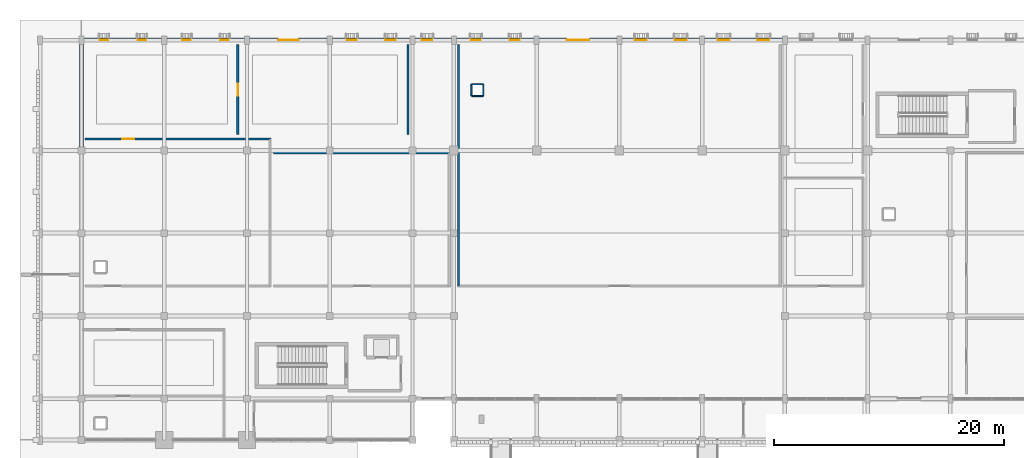
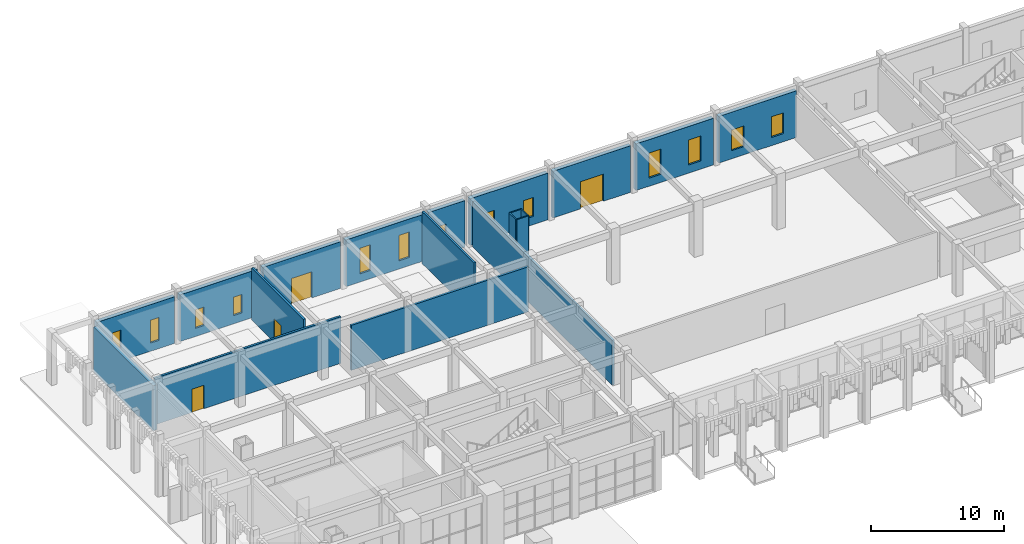
# One storey, part 38 of 72: 19 walls, 13 windows, 4 doors, 17 openings.
"""IFC4 building model written with IfcOpenShell, lengths in metres."""

from ifc_helpers import new_model, si_unit, direction, frame, frame_2d, origin, place, context, subcontext, project, spatial, rectangle, extrude, material, layer, layer_set, type_object, element, fill, save


model = new_model("IFC4")

# Units and contexts
model_context = context("Model", 3, precision=1e-05, world=origin(), true_north=direction((0.0, 1.0)))
body_context = subcontext(model_context, "Body", "Model", "MODEL_VIEW")
ifc_project = project(units=[si_unit("LENGTHUNIT", "METRE"), si_unit("AREAUNIT", "SQUARE_METRE"), si_unit("VOLUMEUNIT", "CUBIC_METRE"), si_unit("PLANEANGLEUNIT", "RADIAN"), si_unit("MASSUNIT", "GRAM", prefix="KILO")], contexts=[model_context])

# Site, building, storey
site_placement = place(None, origin())
site = spatial("IfcSite", under=ifc_project, at=site_placement, CompositionType="ELEMENT")
building_placement = place(site_placement, origin())
building = spatial("IfcBuilding", under=site, at=building_placement, Name="Nzembalo Square Collegiate School", CompositionType="ELEMENT")
storey_placement = place(building_placement, origin())
storey = spatial("IfcBuildingStorey", under=building, at=storey_placement, Name="L00", CompositionType="ELEMENT", Elevation=0.0)

# Wall
ifc_material_1 = material(Name="Concrete C35/45", Category="concrete")
ifc_layer_1 = layer(ifc_material_1, 0.360107421875, Name="Concrete C35/45")
ifc_layer_set_1 = layer_set([ifc_layer_1], Name="Concrete C35/45")
wall_type_1 = type_object("IfcWallType", Name="W01", PredefinedType="SOLIDWALL", material=ifc_layer_set_1)
wall_1_placement = place(storey_placement, frame((8.39990234375, 104.701904296875, 0.0), z_axis=(0.0, 0.0, 1.0), x_axis=(0.0, 1.0, 0.0)))
element("IfcWall", 1, at=wall_1_placement, inside=storey, type_object=wall_type_1, Name="Exterior wall W01 L00", PredefinedType="SOLIDWALL", context=body_context, shape_type="SweptSolid", body=[
    extrude(rectangle(XDim=8.921142578125, YDim=0.360107421875, at=frame_2d((4.46044921875, 0.0))), origin(), (0.0, 0.0, 1.0), 4.134033203125),
])

# Wall, openings, windows
wall_2_placement = place(storey_placement, frame((15.826904296875, 114.0, 0.0), z_axis=(0.0, 0.0, 1.0), x_axis=(1.0, 0.0, 0.0)))
wall_2 = element("IfcWall", 2, at=wall_2_placement, inside=storey, type_object=wall_type_1, Name="Exterior wall W01 L00", PredefinedType="SOLIDWALL", context=body_context, shape_type="SweptSolid", body=[
    extrude(rectangle(XDim=6.74609375, YDim=0.360107421875, at=frame_2d((3.373046875, 0.0))), origin(), (0.0, 0.0, 1.0), 4.283935546875),
])
opening_1_placement = place(wall_2_placement, frame((1.343994140625, 0.0, 0.75)))
opening_1 = element("IfcOpeningElement", 3, at=opening_1_placement, cuts=wall_2, Name="Opening WN-L00-077", PredefinedType="OPENING", context=body_context, shape_type="SweptSolid", body=[
    extrude(rectangle(XDim=0.75, YDim=1.699951171875, at=frame_2d((0.375, 0.85009765625))), frame((0.0, 0.18994140625, 0.0), z_axis=(0.0, -1.0, 0.0), x_axis=(1.0, 0.0, 0.0)), (0.0, 0.0, 1.0), 0.380126953125),
])
opening_2_placement = place(wall_2_placement, frame((4.652099609375, 0.0, 0.75)))
opening_2 = element("IfcOpeningElement", 4, at=opening_2_placement, cuts=wall_2, Name="Opening WN-L00-078", PredefinedType="OPENING", context=body_context, shape_type="SweptSolid", body=[
    extrude(rectangle(XDim=0.75, YDim=1.699951171875, at=frame_2d((0.375, 0.85009765625))), frame((0.0, 0.18994140625, 0.0), z_axis=(0.0, -1.0, 0.0), x_axis=(1.0, 0.0, 0.0)), (0.0, 0.0, 1.0), 0.380126953125),
])
ifc_material_2 = material(Name="Powder-coated aluminium and low-E double glazing", Category="aluminium")
window_type_1 = type_object("IfcWindowType", Name="WN04", PartitioningType="SINGLE_PANEL", PredefinedType="WINDOW", material=ifc_material_2)
window_1_placement = place(opening_1_placement, origin())
window_1 = element("IfcWindow", 5, at=window_1_placement, inside=storey, type_object=window_type_1, Name="Lancet window WN-L00-077", OverallHeight=1.699951171875, OverallWidth=0.75, PartitioningType="SINGLE_PANEL", PredefinedType="WINDOW", context=body_context, shape_type="SweptSolid", body=[
    extrude(rectangle(XDim=0.75, YDim=1.699951171875, at=frame_2d((0.375, 0.85009765625))), frame((0.0, 0.030029296875, 0.0), z_axis=(0.0, -1.0, 0.0), x_axis=(1.0, 0.0, 0.0)), (0.0, 0.0, 1.0), 0.06005859375),
])
fill(opening_1, window_1)
window_2_placement = place(opening_2_placement, origin())
window_2 = element("IfcWindow", 6, at=window_2_placement, inside=storey, type_object=window_type_1, Name="Lancet window WN-L00-078", OverallHeight=1.699951171875, OverallWidth=0.75, PartitioningType="SINGLE_PANEL", PredefinedType="WINDOW", context=body_context, shape_type="SweptSolid", body=[
    extrude(rectangle(XDim=0.75, YDim=1.699951171875, at=frame_2d((0.375, 0.85009765625))), frame((0.0, 0.030029296875, 0.0), z_axis=(0.0, -1.0, 0.0), x_axis=(1.0, 0.0, 0.0)), (0.0, 0.0, 1.0), 0.06005859375),
])
fill(opening_2, window_2)

wall_3_placement = place(storey_placement, frame((30.22705078125, 114.0, 0.0), z_axis=(0.0, 0.0, 1.0), x_axis=(1.0, 0.0, 0.0)))
wall_3 = element("IfcWall", 7, at=wall_3_placement, inside=storey, type_object=wall_type_1, Name="Exterior wall W01 L00", PredefinedType="SOLIDWALL", context=body_context, shape_type="SweptSolid", body=[
    extrude(rectangle(XDim=6.745849609375, YDim=0.360107421875, at=frame_2d((3.373046875, 0.0))), origin(), (0.0, 0.0, 1.0), 4.283935546875),
])
opening_3_placement = place(wall_3_placement, frame((1.2314453125, 0.0, 0.75)))
opening_3 = element("IfcOpeningElement", 8, at=opening_3_placement, cuts=wall_3, Name="Opening WN-L00-079", PredefinedType="OPENING", context=body_context, shape_type="SweptSolid", body=[
    extrude(rectangle(XDim=0.89990234375, YDim=2.35009765625, at=frame_2d((0.449951171875, 1.175048828125))), frame((0.0, 0.18994140625, 0.0), z_axis=(0.0, -1.0, 0.0), x_axis=(1.0, 0.0, 0.0)), (0.0, 0.0, 1.0), 0.380126953125),
])
opening_4_placement = place(wall_3_placement, frame((4.614501953125, 0.0, 0.75)))
opening_4 = element("IfcOpeningElement", 9, at=opening_4_placement, cuts=wall_3, Name="Opening WN-L00-080", PredefinedType="OPENING", context=body_context, shape_type="SweptSolid", body=[
    extrude(rectangle(XDim=0.89990234375, YDim=2.35009765625, at=frame_2d((0.449951171875, 1.175048828125))), frame((0.0, 0.18994140625, 0.0), z_axis=(0.0, -1.0, 0.0), x_axis=(1.0, 0.0, 0.0)), (0.0, 0.0, 1.0), 0.380126953125),
])
ifc_material_3 = material(Name="Powder-coated aluminium and low-E double glazing", Category="aluminium")
window_type_2 = type_object("IfcWindowType", Name="WN06", PartitioningType="SINGLE_PANEL", PredefinedType="WINDOW", material=ifc_material_3)
window_3_placement = place(opening_3_placement, origin())
window_3 = element("IfcWindow", 10, at=window_3_placement, inside=storey, type_object=window_type_2, Name="Lancet window WN-L00-079", OverallHeight=2.35009765625, OverallWidth=0.89990234375, PartitioningType="SINGLE_PANEL", PredefinedType="WINDOW", context=body_context, shape_type="SweptSolid", body=[
    extrude(rectangle(XDim=0.89990234375, YDim=2.35009765625, at=frame_2d((0.449951171875, 1.175048828125))), frame((0.0, 0.030029296875, 0.0), z_axis=(0.0, -1.0, 0.0), x_axis=(1.0, 0.0, 0.0)), (0.0, 0.0, 1.0), 0.06005859375),
])
fill(opening_3, window_3)
window_4_placement = place(opening_4_placement, origin())
window_4 = element("IfcWindow", 11, at=window_4_placement, inside=storey, type_object=window_type_2, Name="Lancet window WN-L00-080", OverallHeight=2.35009765625, OverallWidth=0.89990234375, PartitioningType="SINGLE_PANEL", PredefinedType="WINDOW", context=body_context, shape_type="SweptSolid", body=[
    extrude(rectangle(XDim=0.89990234375, YDim=2.35009765625, at=frame_2d((0.449951171875, 1.175048828125))), frame((0.0, 0.030029296875, 0.0), z_axis=(0.0, -1.0, 0.0), x_axis=(1.0, 0.0, 0.0)), (0.0, 0.0, 1.0), 0.06005859375),
])
fill(opening_4, window_4)

wall_4_placement = place(storey_placement, frame((41.027099609375, 114.0, 0.0), z_axis=(0.0, 0.0, 1.0), x_axis=(1.0, 0.0, 0.0)))
wall_4 = element("IfcWall", 12, at=wall_4_placement, inside=storey, type_object=wall_type_1, Name="Exterior wall W01 L00", PredefinedType="SOLIDWALL", context=body_context, shape_type="SweptSolid", body=[
    extrude(rectangle(XDim=6.745849609375, YDim=0.360107421875, at=frame_2d((3.373046875, 0.0))), origin(), (0.0, 0.0, 1.0), 4.283935546875),
])
opening_5_placement = place(wall_4_placement, frame((1.2314453125, 0.0, 0.75)))
opening_5 = element("IfcOpeningElement", 13, at=opening_5_placement, cuts=wall_4, Name="Opening WN-L00-082", PredefinedType="OPENING", context=body_context, shape_type="SweptSolid", body=[
    extrude(rectangle(XDim=0.89990234375, YDim=1.75, at=frame_2d((0.449951171875, 0.875))), frame((0.0, 0.18994140625, 0.0), z_axis=(0.0, -1.0, 0.0), x_axis=(1.0, 0.0, 0.0)), (0.0, 0.0, 1.0), 0.380126953125),
])
opening_6_placement = place(wall_4_placement, frame((4.614501953125, 0.0, 0.75)))
opening_6 = element("IfcOpeningElement", 14, at=opening_6_placement, cuts=wall_4, Name="Opening WN-L00-083", PredefinedType="OPENING", context=body_context, shape_type="SweptSolid", body=[
    extrude(rectangle(XDim=0.89990234375, YDim=1.75, at=frame_2d((0.449951171875, 0.875))), frame((0.0, 0.18994140625, 0.0), z_axis=(0.0, -1.0, 0.0), x_axis=(1.0, 0.0, 0.0)), (0.0, 0.0, 1.0), 0.380126953125),
])
ifc_material_4 = material(Name="Powder-coated aluminium and low-E double glazing", Category="aluminium")
window_type_3 = type_object("IfcWindowType", Name="WN09", PartitioningType="SINGLE_PANEL", PredefinedType="WINDOW", material=ifc_material_4)
window_5_placement = place(opening_5_placement, origin())
window_5 = element("IfcWindow", 15, at=window_5_placement, inside=storey, type_object=window_type_3, Name="Lancet window WN-L00-082", OverallHeight=1.75, OverallWidth=0.89990234375, PartitioningType="SINGLE_PANEL", PredefinedType="WINDOW", context=body_context, shape_type="SweptSolid", body=[
    extrude(rectangle(XDim=0.89990234375, YDim=1.75, at=frame_2d((0.449951171875, 0.875))), frame((0.0, 0.030029296875, 0.0), z_axis=(0.0, -1.0, 0.0), x_axis=(1.0, 0.0, 0.0)), (0.0, 0.0, 1.0), 0.06005859375),
])
fill(opening_5, window_5)
window_6_placement = place(opening_6_placement, origin())
window_6 = element("IfcWindow", 16, at=window_6_placement, inside=storey, type_object=window_type_3, Name="Lancet window WN-L00-083", OverallHeight=1.75, OverallWidth=0.89990234375, PartitioningType="SINGLE_PANEL", PredefinedType="WINDOW", context=body_context, shape_type="SweptSolid", body=[
    extrude(rectangle(XDim=0.89990234375, YDim=1.75, at=frame_2d((0.449951171875, 0.875))), frame((0.0, 0.030029296875, 0.0), z_axis=(0.0, -1.0, 0.0), x_axis=(1.0, 0.0, 0.0)), (0.0, 0.0, 1.0), 0.06005859375),
])
fill(opening_6, window_6)

wall_5_placement = place(storey_placement, frame((55.427001953125, 114.0, 0.0), z_axis=(0.0, 0.0, 1.0), x_axis=(1.0, 0.0, 0.0)))
wall_5 = element("IfcWall", 17, at=wall_5_placement, inside=storey, type_object=wall_type_1, Name="Exterior wall W01 L00", PredefinedType="SOLIDWALL", context=body_context, shape_type="SweptSolid", body=[
    extrude(rectangle(XDim=6.74609375, YDim=0.360107421875, at=frame_2d((3.373046875, 0.0))), origin(), (0.0, 0.0, 1.0), 4.283935546875),
])
opening_7_placement = place(wall_5_placement, frame((1.118896484375, 0.0, 0.75)))
opening_7 = element("IfcOpeningElement", 18, at=opening_7_placement, cuts=wall_5, Name="Opening WN-L00-084", PredefinedType="OPENING", context=body_context, shape_type="SweptSolid", body=[
    extrude(rectangle(XDim=1.050048828125, YDim=2.300048828125, at=frame_2d((0.52490234375, 1.14990234375))), frame((0.0, 0.18994140625, 0.0), z_axis=(0.0, -1.0, 0.0), x_axis=(1.0, 0.0, 0.0)), (0.0, 0.0, 1.0), 0.380126953125),
])
opening_8_placement = place(wall_5_placement, frame((4.576904296875, 0.0, 0.75)))
opening_8 = element("IfcOpeningElement", 19, at=opening_8_placement, cuts=wall_5, Name="Opening WN-L00-085", PredefinedType="OPENING", context=body_context, shape_type="SweptSolid", body=[
    extrude(rectangle(XDim=1.050048828125, YDim=2.300048828125, at=frame_2d((0.52490234375, 1.14990234375))), frame((0.0, 0.18994140625, 0.0), z_axis=(0.0, -1.0, 0.0), x_axis=(1.0, 0.0, 0.0)), (0.0, 0.0, 1.0), 0.380126953125),
])
ifc_material_5 = material(Name="Powder-coated aluminium and low-E double glazing", Category="aluminium")
window_type_4 = type_object("IfcWindowType", Name="WN11", PartitioningType="SINGLE_PANEL", PredefinedType="WINDOW", material=ifc_material_5)
window_7_placement = place(opening_7_placement, origin())
window_7 = element("IfcWindow", 20, at=window_7_placement, inside=storey, type_object=window_type_4, Name="Lancet window WN-L00-084", OverallHeight=2.300048828125, OverallWidth=1.050048828125, PartitioningType="SINGLE_PANEL", PredefinedType="WINDOW", context=body_context, shape_type="SweptSolid", body=[
    extrude(rectangle(XDim=1.050048828125, YDim=2.300048828125, at=frame_2d((0.52490234375, 1.14990234375))), frame((0.0, 0.030029296875, 0.0), z_axis=(0.0, -1.0, 0.0), x_axis=(1.0, 0.0, 0.0)), (0.0, 0.0, 1.0), 0.06005859375),
])
fill(opening_7, window_7)
window_8_placement = place(opening_8_placement, origin())
window_8 = element("IfcWindow", 21, at=window_8_placement, inside=storey, type_object=window_type_4, Name="Lancet window WN-L00-085", OverallHeight=2.300048828125, OverallWidth=1.050048828125, PartitioningType="SINGLE_PANEL", PredefinedType="WINDOW", context=body_context, shape_type="SweptSolid", body=[
    extrude(rectangle(XDim=1.050048828125, YDim=2.300048828125, at=frame_2d((0.52490234375, 1.14990234375))), frame((0.0, 0.030029296875, 0.0), z_axis=(0.0, -1.0, 0.0), x_axis=(1.0, 0.0, 0.0)), (0.0, 0.0, 1.0), 0.06005859375),
])
fill(opening_8, window_8)

ifc_material_6 = material(Name="Concrete C35/45", Category="concrete")
ifc_layer_2 = layer(ifc_material_6, 0.340087890625, Name="Concrete C35/45")
ifc_layer_set_2 = layer_set([ifc_layer_2], Name="Concrete C35/45")
wall_type_2 = type_object("IfcWallType", Name="W02", PredefinedType="SOLIDWALL", material=ifc_layer_set_2)
wall_6_placement = place(storey_placement, frame((8.626953125, 114.0, 0.0), z_axis=(0.0, 0.0, 1.0), x_axis=(1.0, 0.0, 0.0)))
wall_6 = element("IfcWall", 22, at=wall_6_placement, inside=storey, type_object=wall_type_2, Name="Exterior wall W02 L00", PredefinedType="SOLIDWALL", context=body_context, shape_type="SweptSolid", body=[
    extrude(rectangle(XDim=6.74609375, YDim=0.340087890625, at=frame_2d((3.373046875, 0.0))), origin(), (0.0, 0.0, 1.0), 4.283935546875),
])
opening_9_placement = place(wall_6_placement, frame((1.343994140625, 0.0, 0.75)))
opening_9 = element("IfcOpeningElement", 23, at=opening_9_placement, cuts=wall_6, Name="Opening WN-L00-075", PredefinedType="OPENING", context=body_context, shape_type="SweptSolid", body=[
    extrude(rectangle(XDim=0.75, YDim=2.10009765625, at=frame_2d((0.375, 1.050048828125))), frame((0.0, 0.18017578125, 0.0), z_axis=(0.0, -1.0, 0.0), x_axis=(1.0, 0.0, 0.0)), (0.0, 0.0, 1.0), 0.360107421875),
])
opening_10_placement = place(wall_6_placement, frame((4.652099609375, 0.0, 0.75)))
opening_10 = element("IfcOpeningElement", 24, at=opening_10_placement, cuts=wall_6, Name="Opening WN-L00-076", PredefinedType="OPENING", context=body_context, shape_type="SweptSolid", body=[
    extrude(rectangle(XDim=0.75, YDim=2.10009765625, at=frame_2d((0.375, 1.050048828125))), frame((0.0, 0.18017578125, 0.0), z_axis=(0.0, -1.0, 0.0), x_axis=(1.0, 0.0, 0.0)), (0.0, 0.0, 1.0), 0.360107421875),
])
ifc_material_7 = material(Name="Powder-coated aluminium and low-E double glazing", Category="aluminium")
window_type_5 = type_object("IfcWindowType", Name="WN02", PartitioningType="SINGLE_PANEL", PredefinedType="WINDOW", material=ifc_material_7)
window_9_placement = place(opening_9_placement, origin())
window_9 = element("IfcWindow", 25, at=window_9_placement, inside=storey, type_object=window_type_5, Name="Lancet window WN-L00-075", OverallHeight=2.10009765625, OverallWidth=0.75, PartitioningType="SINGLE_PANEL", PredefinedType="WINDOW", context=body_context, shape_type="SweptSolid", body=[
    extrude(rectangle(XDim=0.75, YDim=2.10009765625, at=frame_2d((0.375, 1.050048828125))), frame((0.0, 0.030029296875, 0.0), z_axis=(0.0, -1.0, 0.0), x_axis=(1.0, 0.0, 0.0)), (0.0, 0.0, 1.0), 0.06005859375),
])
fill(opening_9, window_9)
window_10_placement = place(opening_10_placement, origin())
window_10 = element("IfcWindow", 26, at=window_10_placement, inside=storey, type_object=window_type_5, Name="Lancet window WN-L00-076", OverallHeight=2.10009765625, OverallWidth=0.75, PartitioningType="SINGLE_PANEL", PredefinedType="WINDOW", context=body_context, shape_type="SweptSolid", body=[
    extrude(rectangle(XDim=0.75, YDim=2.10009765625, at=frame_2d((0.375, 1.050048828125))), frame((0.0, 0.030029296875, 0.0), z_axis=(0.0, -1.0, 0.0), x_axis=(1.0, 0.0, 0.0)), (0.0, 0.0, 1.0), 0.06005859375),
])
fill(opening_10, window_10)

# Wall, opening, door
wall_7_placement = place(storey_placement, frame((23.027099609375, 114.0, 0.0), z_axis=(0.0, 0.0, 1.0), x_axis=(1.0, 0.0, 0.0)))
wall_7 = element("IfcWall", 27, at=wall_7_placement, inside=storey, type_object=wall_type_2, Name="Exterior wall W02 L00", PredefinedType="SOLIDWALL", context=body_context, shape_type="SweptSolid", body=[
    extrude(rectangle(XDim=6.745849609375, YDim=0.340087890625, at=frame_2d((3.373046875, 0.0))), origin(), (0.0, 0.0, 1.0), 4.283935546875),
])
opening_11_placement = place(wall_7_placement, frame((2.472900390625, 0.0, 0.0)))
opening_11 = element("IfcOpeningElement", 28, at=opening_11_placement, cuts=wall_7, Name="Opening E06", PredefinedType="OPENING", context=body_context, shape_type="SweptSolid", body=[
    extrude(rectangle(XDim=1.800048828125, YDim=2.39990234375, at=frame_2d((0.89990234375, 1.199951171875))), frame((0.0, 0.18017578125, 0.0), z_axis=(0.0, -1.0, 0.0), x_axis=(1.0, 0.0, 0.0)), (0.0, 0.0, 1.0), 0.360107421875),
])
ifc_material_8 = material(Name="Powder-coated steel and safety glass", Category="steel")
door_type_1 = type_object("IfcDoorType", Name="ED01", OperationType="DOUBLE_DOOR_SINGLE_SWING", PredefinedType="DOOR", material=ifc_material_8)
door_1_placement = place(opening_11_placement, origin())
door_1 = element("IfcDoor", 29, at=door_1_placement, inside=storey, type_object=door_type_1, Name="Exterior door E06", OperationType="DOUBLE_DOOR_SINGLE_SWING", OverallHeight=2.39990234375, OverallWidth=1.800048828125, PredefinedType="DOOR", context=body_context, shape_type="SweptSolid", body=[
    extrude(rectangle(XDim=1.800048828125, YDim=2.39990234375, at=frame_2d((0.89990234375, 1.199951171875))), frame((0.0, 0.02490234375, 0.0), z_axis=(0.0, -1.0, 0.0), x_axis=(1.0, 0.0, 0.0)), (0.0, 0.0, 1.0), 0.050048828125),
])
fill(opening_11, door_1)

# Wall, opening, window
wall_8_placement = place(storey_placement, frame((37.427001953125, 114.0, 0.0), z_axis=(0.0, 0.0, 1.0), x_axis=(1.0, 0.0, 0.0)))
wall_8 = element("IfcWall", 30, at=wall_8_placement, inside=storey, type_object=wall_type_2, Name="Exterior wall W02 L00", PredefinedType="SOLIDWALL", context=body_context, shape_type="SweptSolid", body=[
    extrude(rectangle(XDim=3.14599609375, YDim=0.340087890625, at=frame_2d((1.572998046875, 0.0))), origin(), (0.0, 0.0, 1.0), 4.283935546875),
])
opening_12_placement = place(wall_8_placement, frame((0.59521484375, 0.0, 0.75)))
opening_12 = element("IfcOpeningElement", 31, at=opening_12_placement, cuts=wall_8, Name="Opening WN-L00-081", PredefinedType="OPENING", context=body_context, shape_type="SweptSolid", body=[
    extrude(rectangle(XDim=0.89990234375, YDim=1.949951171875, at=frame_2d((0.449951171875, 0.97509765625))), frame((0.0, 0.18017578125, 0.0), z_axis=(0.0, -1.0, 0.0), x_axis=(1.0, 0.0, 0.0)), (0.0, 0.0, 1.0), 0.360107421875),
])
ifc_material_9 = material(Name="Powder-coated aluminium and low-E double glazing", Category="aluminium")
window_type_6 = type_object("IfcWindowType", Name="WN08", PartitioningType="SINGLE_PANEL", PredefinedType="WINDOW", material=ifc_material_9)
window_11_placement = place(opening_12_placement, origin())
window_11 = element("IfcWindow", 32, at=window_11_placement, inside=storey, type_object=window_type_6, Name="Lancet window WN-L00-081", OverallHeight=1.949951171875, OverallWidth=0.89990234375, PartitioningType="SINGLE_PANEL", PredefinedType="WINDOW", context=body_context, shape_type="SweptSolid", body=[
    extrude(rectangle(XDim=0.89990234375, YDim=1.949951171875, at=frame_2d((0.449951171875, 0.97509765625))), frame((0.0, 0.030029296875, 0.0), z_axis=(0.0, -1.0, 0.0), x_axis=(1.0, 0.0, 0.0)), (0.0, 0.0, 1.0), 0.06005859375),
])
fill(opening_12, window_11)

# Wall, opening, door
wall_9_placement = place(storey_placement, frame((48.22705078125, 114.0, 0.0), z_axis=(0.0, 0.0, 1.0), x_axis=(1.0, 0.0, 0.0)))
wall_9 = element("IfcWall", 33, at=wall_9_placement, inside=storey, type_object=wall_type_2, Name="Exterior wall W02 L00", PredefinedType="SOLIDWALL", context=body_context, shape_type="SweptSolid", body=[
    extrude(rectangle(XDim=6.745849609375, YDim=0.340087890625, at=frame_2d((3.373046875, 0.0))), origin(), (0.0, 0.0, 1.0), 4.283935546875),
])
opening_13_placement = place(wall_9_placement, frame((2.373046875, 0.0, 0.0)))
opening_13 = element("IfcOpeningElement", 34, at=opening_13_placement, cuts=wall_9, Name="Opening E07", PredefinedType="OPENING", context=body_context, shape_type="SweptSolid", body=[
    extrude(rectangle(XDim=2.0, YDim=2.5, at=frame_2d((1.0, 1.25))), frame((0.0, 0.18017578125, 0.0), z_axis=(0.0, -1.0, 0.0), x_axis=(1.0, 0.0, 0.0)), (0.0, 0.0, 1.0), 0.360107421875),
])
ifc_material_10 = material(Name="Powder-coated steel and safety glass", Category="steel")
door_type_2 = type_object("IfcDoorType", Name="ED03", OperationType="DOUBLE_DOOR_SINGLE_SWING", PredefinedType="DOOR", material=ifc_material_10)
door_2_placement = place(opening_13_placement, origin())
door_2 = element("IfcDoor", 35, at=door_2_placement, inside=storey, type_object=door_type_2, Name="Exterior door E07", OperationType="DOUBLE_DOOR_SINGLE_SWING", OverallHeight=2.5, OverallWidth=2.0, PredefinedType="DOOR", context=body_context, shape_type="SweptSolid", body=[
    extrude(rectangle(XDim=2.0, YDim=2.5, at=frame_2d((1.0, 1.25))), frame((0.0, 0.02490234375, 0.0), z_axis=(0.0, -1.0, 0.0), x_axis=(1.0, 0.0, 0.0)), (0.0, 0.0, 1.0), 0.050048828125),
])
fill(opening_13, door_2)

# Wall, openings, windows
wall_10_placement = place(storey_placement, frame((62.626953125, 114.0, 0.0), z_axis=(0.0, 0.0, 1.0), x_axis=(1.0, 0.0, 0.0)))
wall_10 = element("IfcWall", 36, at=wall_10_placement, inside=storey, type_object=wall_type_2, Name="Exterior wall W02 L00", PredefinedType="SOLIDWALL", context=body_context, shape_type="SweptSolid", body=[
    extrude(rectangle(XDim=6.74609375, YDim=0.340087890625, at=frame_2d((3.373046875, 0.0))), origin(), (0.0, 0.0, 1.0), 4.283935546875),
])
opening_14_placement = place(wall_10_placement, frame((1.118896484375, 0.0, 0.75)))
opening_14 = element("IfcOpeningElement", 37, at=opening_14_placement, cuts=wall_10, Name="Opening WN-L00-086", PredefinedType="OPENING", context=body_context, shape_type="SweptSolid", body=[
    extrude(rectangle(XDim=1.050048828125, YDim=1.89990234375, at=frame_2d((0.52490234375, 0.949951171875))), frame((0.0, 0.18017578125, 0.0), z_axis=(0.0, -1.0, 0.0), x_axis=(1.0, 0.0, 0.0)), (0.0, 0.0, 1.0), 0.360107421875),
])
opening_15_placement = place(wall_10_placement, frame((4.576904296875, 0.0, 0.75)))
opening_15 = element("IfcOpeningElement", 38, at=opening_15_placement, cuts=wall_10, Name="Opening WN-L00-087", PredefinedType="OPENING", context=body_context, shape_type="SweptSolid", body=[
    extrude(rectangle(XDim=1.050048828125, YDim=1.89990234375, at=frame_2d((0.52490234375, 0.949951171875))), frame((0.0, 0.18017578125, 0.0), z_axis=(0.0, -1.0, 0.0), x_axis=(1.0, 0.0, 0.0)), (0.0, 0.0, 1.0), 0.360107421875),
])
ifc_material_11 = material(Name="Powder-coated aluminium and low-E double glazing", Category="aluminium")
window_type_7 = type_object("IfcWindowType", Name="WN13", PartitioningType="SINGLE_PANEL", PredefinedType="WINDOW", material=ifc_material_11)
window_12_placement = place(opening_14_placement, origin())
window_12 = element("IfcWindow", 39, at=window_12_placement, inside=storey, type_object=window_type_7, Name="Lancet window WN-L00-086", OverallHeight=1.89990234375, OverallWidth=1.050048828125, PartitioningType="SINGLE_PANEL", PredefinedType="WINDOW", context=body_context, shape_type="SweptSolid", body=[
    extrude(rectangle(XDim=1.050048828125, YDim=1.89990234375, at=frame_2d((0.52490234375, 0.949951171875))), frame((0.0, 0.030029296875, 0.0), z_axis=(0.0, -1.0, 0.0), x_axis=(1.0, 0.0, 0.0)), (0.0, 0.0, 1.0), 0.06005859375),
])
fill(opening_14, window_12)
window_13_placement = place(opening_15_placement, origin())
window_13 = element("IfcWindow", 40, at=window_13_placement, inside=storey, type_object=window_type_7, Name="Lancet window WN-L00-087", OverallHeight=1.89990234375, OverallWidth=1.050048828125, PartitioningType="SINGLE_PANEL", PredefinedType="WINDOW", context=body_context, shape_type="SweptSolid", body=[
    extrude(rectangle(XDim=1.050048828125, YDim=1.89990234375, at=frame_2d((0.52490234375, 0.949951171875))), frame((0.0, 0.030029296875, 0.0), z_axis=(0.0, -1.0, 0.0), x_axis=(1.0, 0.0, 0.0)), (0.0, 0.0, 1.0), 0.06005859375),
])
fill(opening_15, window_13)

# Wall
ifc_material_12 = material(Name="Acoustic gypsum and steel stud", Category="steel")
ifc_layer_3 = layer(ifc_material_12, 0.175048828125, Name="Acoustic gypsum and steel stud")
ifc_layer_set_3 = layer_set([ifc_layer_3], Name="Acoustic gypsum and steel stud")
wall_type_3 = type_object("IfcWallType", Name="W14", PredefinedType="PARTITIONING", material=ifc_layer_set_3)
wall_11_placement = place(storey_placement, frame((36.800048828125, 105.800048828125, 0.0), z_axis=(0.0, 0.0, 1.0), x_axis=(0.0, 1.0, 0.0)))
element("IfcWall", 41, at=wall_11_placement, inside=storey, type_object=wall_type_3, Name="Interior partition W14 L00-031-E", PredefinedType="PARTITIONING", context=body_context, shape_type="SweptSolid", body=[
    extrude(rectangle(XDim=7.800048828125, YDim=0.175048828125, at=frame_2d((3.89990234375, 0.0))), origin(), (0.0, 0.0, 1.0), 4.77392578125),
])

# Wall, opening, door
ifc_material_13 = material(Name="High-mass acoustic blockwork", Category="masonry")
ifc_layer_4 = layer(ifc_material_13, 0.18505859375, Name="High-mass acoustic blockwork")
ifc_layer_set_4 = layer_set([ifc_layer_4], Name="High-mass acoustic blockwork")
wall_type_4 = type_object("IfcWallType", Name="W22", PredefinedType="PARTITIONING", material=ifc_layer_set_4)
wall_12_placement = place(storey_placement, frame((8.70751953125, 105.39990234375, 0.0), z_axis=(0.0, 0.0, 1.0), x_axis=(1.0, 0.0, 0.0)))
wall_12 = element("IfcWall", 42, at=wall_12_placement, inside=storey, type_object=wall_type_4, Name="Interior partition W22 L00-029-N", PredefinedType="PARTITIONING", context=body_context, shape_type="SweptSolid", body=[
    extrude(rectangle(XDim=16.18505859375, YDim=0.18505859375, at=frame_2d((8.092529296875, 0.0))), origin(), (0.0, 0.0, 1.0), 4.283935546875),
])
opening_16_placement = place(wall_12_placement, frame((3.22998046875, 0.0, 0.0)))
opening_16 = element("IfcOpeningElement", 43, at=opening_16_placement, cuts=wall_12, Name="Opening D-L00-015", PredefinedType="OPENING", context=body_context, shape_type="SweptSolid", body=[
    extrude(rectangle(XDim=1.050048828125, YDim=2.14990234375, at=frame_2d((0.52490234375, 1.074951171875))), frame((0.0, 0.1025390625, 0.0), z_axis=(0.0, -1.0, 0.0), x_axis=(1.0, 0.0, 0.0)), (0.0, 0.0, 1.0), 0.205078125),
])
ifc_material_14 = material(Name="Fire-rated steel store door", Category="steel")
door_type_3 = type_object("IfcDoorType", Name="FD03", OperationType="NOTDEFINED", PredefinedType="DOOR", material=ifc_material_14)
door_3_placement = place(opening_16_placement, origin())
door_3 = element("IfcDoor", 44, at=door_3_placement, inside=storey, type_object=door_type_3, Name="Interior door D-L00-015 (Cold and Dry Culinary Stores)", OperationType="SINGLE_SWING_LEFT", OverallHeight=2.14990234375, OverallWidth=1.050048828125, PredefinedType="DOOR", context=body_context, shape_type="SweptSolid", body=[
    extrude(rectangle(XDim=1.050048828125, YDim=2.14990234375, at=frame_2d((0.52490234375, 1.074951171875))), frame((0.0, 0.02490234375, 0.0), z_axis=(0.0, -1.0, 0.0), x_axis=(1.0, 0.0, 0.0)), (0.0, 0.0, 1.0), 0.050048828125),
])
fill(opening_16, door_3)

wall_13_placement = place(storey_placement, frame((22.0, 105.800048828125, 0.0), z_axis=(0.0, 0.0, 1.0), x_axis=(0.0, 1.0, 0.0)))
wall_13 = element("IfcWall", 45, at=wall_13_placement, inside=storey, type_object=wall_type_4, Name="Interior partition W22 L00-030-E", PredefinedType="PARTITIONING", context=body_context, shape_type="SweptSolid", body=[
    extrude(rectangle(XDim=7.800048828125, YDim=0.18505859375, at=frame_2d((3.89990234375, 0.0))), origin(), (0.0, 0.0, 1.0), 4.77392578125),
])
opening_17_placement = place(wall_13_placement, frame((3.375, 0.0, 0.0)))
opening_17 = element("IfcOpeningElement", 46, at=opening_17_placement, cuts=wall_13, Name="Opening D-L00-016", PredefinedType="OPENING", context=body_context, shape_type="SweptSolid", body=[
    extrude(rectangle(XDim=1.050048828125, YDim=2.14990234375, at=frame_2d((0.52490234375, 1.074951171875))), frame((0.0, 0.1025390625, 0.0), z_axis=(0.0, -1.0, 0.0), x_axis=(1.0, 0.0, 0.0)), (0.0, 0.0, 1.0), 0.205078125),
])
door_4_placement = place(opening_17_placement, origin())
door_4 = element("IfcDoor", 47, at=door_4_placement, inside=storey, type_object=door_type_3, Name="Interior door D-L00-016 (Covered Kitchen Loading Bay)", OperationType="SINGLE_SWING_RIGHT", OverallHeight=2.14990234375, OverallWidth=1.050048828125, PredefinedType="DOOR", context=body_context, shape_type="SweptSolid", body=[
    extrude(rectangle(XDim=1.050048828125, YDim=2.14990234375, at=frame_2d((0.52490234375, 1.074951171875))), frame((0.0, 0.02490234375, 0.0), z_axis=(0.0, -1.0, 0.0), x_axis=(1.0, 0.0, 0.0)), (0.0, 0.0, 1.0), 0.050048828125),
])
fill(opening_17, door_4)

# Walls
wall_14_placement = place(storey_placement, frame((25.107421875, 104.199951171875, 0.0), z_axis=(0.0, 0.0, 1.0), x_axis=(1.0, 0.0, 0.0)))
element("IfcWall", 48, at=wall_14_placement, inside=storey, type_object=wall_type_4, Name="Interior partition W22 L00-032-N", PredefinedType="PARTITIONING", context=body_context, shape_type="SweptSolid", body=[
    extrude(rectangle(XDim=15.385009765625, YDim=0.18505859375, at=frame_2d((7.6923828125, 0.0))), origin(), (0.0, 0.0, 1.0), 4.134033203125),
])
wall_15_placement = place(storey_placement, frame((41.199951171875, 92.60009765625, 0.0), z_axis=(0.0, 0.0, 1.0), x_axis=(0.0, 1.0, 0.0)))
element("IfcWall", 49, at=wall_15_placement, inside=storey, type_object=wall_type_4, Name="Interior partition W22 L00-033-W", PredefinedType="PARTITIONING", context=body_context, shape_type="SweptSolid", body=[
    extrude(rectangle(XDim=21.0, YDim=0.18505859375, at=frame_2d((10.5, 0.0))), origin(), (0.0, 0.0, 1.0), 4.134033203125),
])
ifc_material_15 = material(Name="Fire-rated shaftwall stud")
ifc_layer_5 = layer(ifc_material_15, 0.1201171875, Name="Fire-rated shaftwall stud")
ifc_layer_set_5 = layer_set([ifc_layer_5], Name="Fire-rated shaftwall stud")
wall_type_5 = type_object("IfcWallType", Name="W23", PredefinedType="PARTITIONING", material=ifc_layer_set_5)
for number, where, z_axis, x_axis, name in (
    (50, (42.340087890625, 109.139892578125, 0.0), (0.0, 0.0, 1.0), (1.0, 0.0, 0.0), "Service riser shaftwall W23-003-1"),
    (51, (43.360107421875, 109.139892578125, 0.0), (0.0, 0.0, 1.0), (0.0, 1.0, 0.0), "Service riser shaftwall W23-003-2"),
    (52, (43.360107421875, 110.159912109375, 0.0), (0.0, 0.0, 1.0), (-1.0, 0.0, 0.0), "Service riser shaftwall W23-003-3"),
    (53, (42.340087890625, 110.159912109375, 0.0), (0.0, 0.0, 1.0), (0.0, -1.0, 0.0), "Service riser shaftwall W23-003-4"),
):
    element("IfcWall", number, at=place(storey_placement, frame(where, z_axis=z_axis, x_axis=x_axis)), inside=storey, type_object=wall_type_5, Name=name, PredefinedType="PARTITIONING", context=body_context, shape_type="SweptSolid", body=[
        extrude(rectangle(XDim=1.02001953125, YDim=0.1201171875, at=frame_2d((0.510009765625, 0.0))), origin(), (0.0, 0.0, 1.0), 4.77392578125),
    ])

save(model, "model.ifc")
